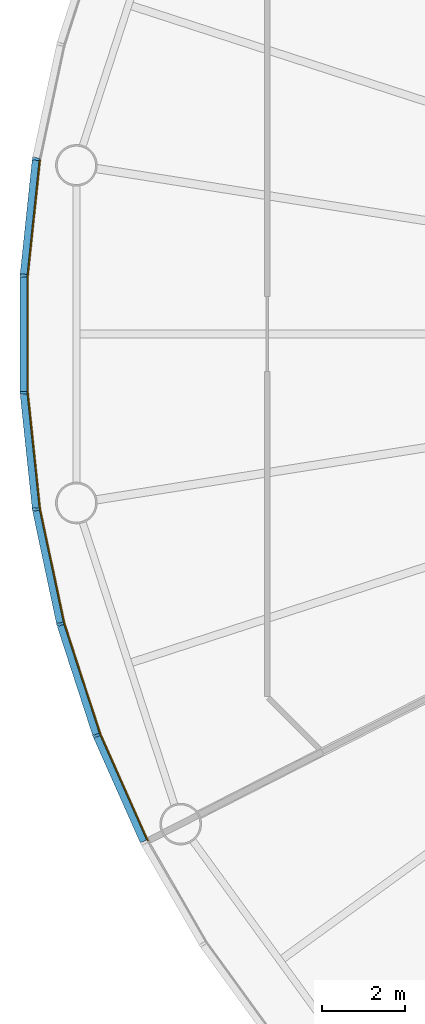
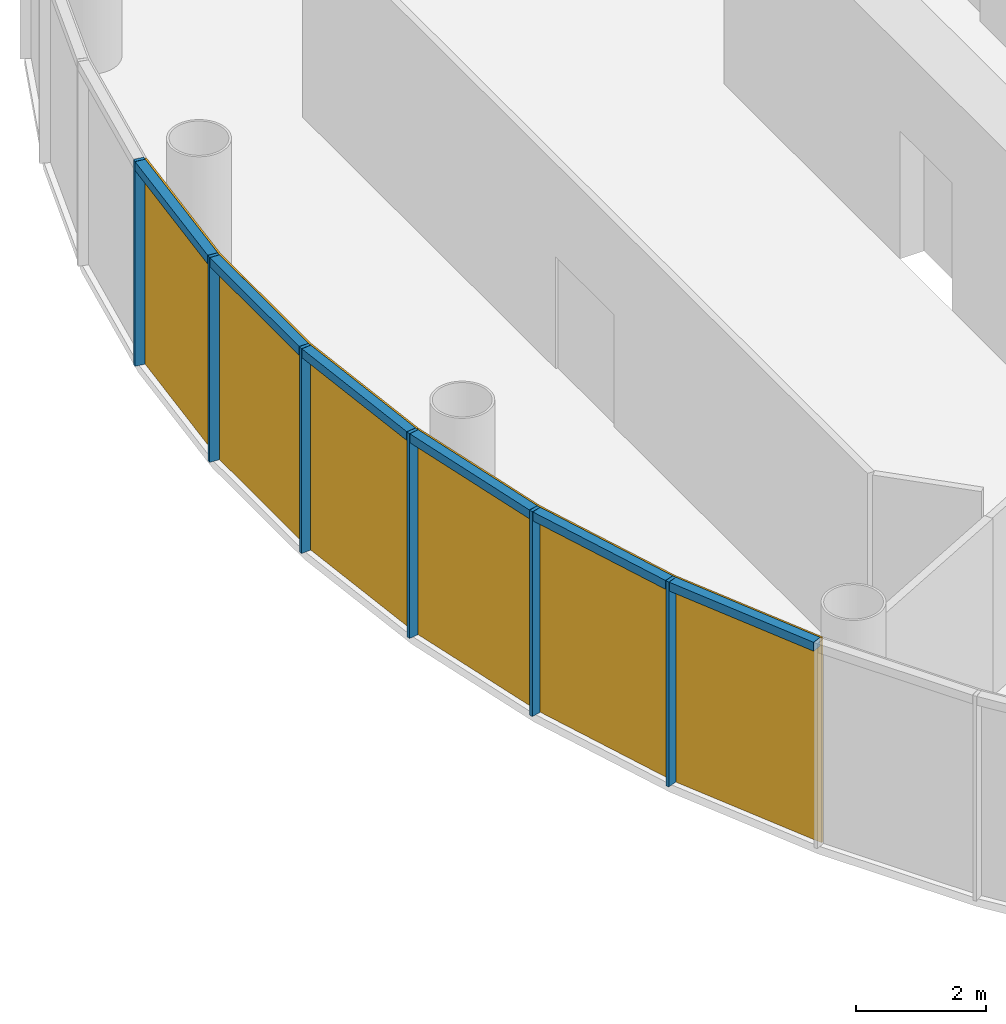
# One storey, part 7 of 12: 12 members, 2 curtain walls.
"""IFC4 building model written with IfcOpenShell, lengths in metres."""

from ifc_helpers import new_model, si_unit, direction, frame, origin, origin_2d, place, context, subcontext, project, spatial, polyline, rectangle, outline, extrude, material, layer, layer_set, material_profile, profile_set, type_object, element, aggregate, save


model = new_model("IFC4")

# Units and contexts
model_context = context("Model", 3, precision=1e-05, world=origin(), true_north=direction((0.0, 1.0)))
body_context = subcontext(model_context, "Body", "Model", "MODEL_VIEW")
ifc_project = project(units=[si_unit("LENGTHUNIT", "METRE"), si_unit("AREAUNIT", "SQUARE_METRE"), si_unit("VOLUMEUNIT", "CUBIC_METRE"), si_unit("PLANEANGLEUNIT", "RADIAN"), si_unit("MASSUNIT", "GRAM", prefix="KILO")], contexts=[model_context])

# Member
ifc_material_1 = material(Name="Anodised aluminium", Category="aluminium")
ifc_material_profile_1 = material_profile(ifc_material_1, rectangle(XDim=0.06005859375, YDim=0.169921875, at=origin_2d()), Name="Mullion 60 x 170 mm anodised aluminium")
ifc_profile_set_1 = profile_set([ifc_material_profile_1], Name="Anodised aluminium")
member_type_1 = type_object("IfcMemberType", Name="Mullion 60 x 170 mm anodised aluminium", PredefinedType="MULLION", material=ifc_profile_set_1)
site_placement = place(None, origin())
building_placement = place(site_placement, origin())
storey_placement = place(building_placement, frame((0.0, 0.0, 254.0)))
member_1_placement = place(storey_placement, frame((63.446044921875, 84.205810546875, 0.0), z_axis=(0.0, 0.0, 1.0), x_axis=(-0.15643446504, -0.987688340595, 0.0)))
member_1 = element("IfcMember", 1, at=member_1_placement, type_object=member_type_1, Name="MULLION L58-27", PredefinedType="MULLION", context=body_context, shape_type="SweptSolid", body=[
    extrude(rectangle(XDim=0.06005859375, YDim=0.169921875, at=origin_2d()), origin(), (0.0, 0.0, 1.0), 3.85009765625),
])

member_2_placement = place(storey_placement, frame((63.15185546875, 81.406982421875, 0.0), z_axis=(0.0, 0.0, 1.0), x_axis=(-0.052335956243, -0.998629534755, 0.0)))
member_2 = element("IfcMember", 2, at=member_2_placement, type_object=member_type_1, Name="MULLION L58-28", PredefinedType="MULLION", context=body_context, shape_type="SweptSolid", body=[
    extrude(rectangle(XDim=0.06005859375, YDim=0.169921875, at=origin_2d()), origin(), (0.0, 0.0, 1.0), 3.85009765625),
])

member_3_placement = place(storey_placement, frame((63.15185546875, 78.593017578125, 0.0), z_axis=(0.0, 0.0, 1.0), x_axis=(0.052335956243, -0.998629534755, 0.0)))
member_3 = element("IfcMember", 3, at=member_3_placement, type_object=member_type_1, Name="MULLION L58-29", PredefinedType="MULLION", context=body_context, shape_type="SweptSolid", body=[
    extrude(rectangle(XDim=0.06005859375, YDim=0.169921875, at=origin_2d()), origin(), (0.0, 0.0, 1.0), 3.85009765625),
])

member_4_placement = place(storey_placement, frame((63.446044921875, 75.794189453125, 0.0), z_axis=(0.0, 0.0, 1.0), x_axis=(0.15643446504, -0.987688340595, 0.0)))
member_4 = element("IfcMember", 4, at=member_4_placement, type_object=member_type_1, Name="MULLION L58-30", PredefinedType="MULLION", context=body_context, shape_type="SweptSolid", body=[
    extrude(rectangle(XDim=0.06005859375, YDim=0.169921875, at=origin_2d()), origin(), (0.0, 0.0, 1.0), 3.85009765625),
])

member_5_placement = place(storey_placement, frame((64.031005859375, 73.041748046875, 0.0), z_axis=(0.0, 0.0, 1.0), x_axis=(0.258819045103, -0.965925826289, 0.0)))
member_5 = element("IfcMember", 5, at=member_5_placement, type_object=member_type_1, Name="MULLION L58-31", PredefinedType="MULLION", context=body_context, shape_type="SweptSolid", body=[
    extrude(rectangle(XDim=0.06005859375, YDim=0.169921875, at=origin_2d()), origin(), (0.0, 0.0, 1.0), 3.85009765625),
])

member_6_placement = place(storey_placement, frame((64.900634765625, 70.365234375, 0.0), z_axis=(0.0, 0.0, 1.0), x_axis=(0.358367949545, -0.933580426497, 0.0)))
member_6 = element("IfcMember", 6, at=member_6_placement, type_object=member_type_1, Name="MULLION L58-32", PredefinedType="MULLION", context=body_context, shape_type="SweptSolid", body=[
    extrude(rectangle(XDim=0.06005859375, YDim=0.169921875, at=origin_2d()), origin(), (0.0, 0.0, 1.0), 3.85009765625),
])

ifc_material_2 = material(Name="Anodised aluminium", Category="aluminium")
ifc_material_profile_2 = material_profile(ifc_material_2, rectangle(XDim=0.169921875, YDim=0.1650390625, at=origin_2d()), Name="Transom 165 x 170 mm anodised aluminium")
ifc_profile_set_2 = profile_set([ifc_material_profile_2], Name="Anodised aluminium")
member_type_2 = type_object("IfcMemberType", Name="Transom 165 x 170 mm anodised aluminium", PredefinedType="USERDEFINED", material=ifc_profile_set_2)
member_7_placement = place(storey_placement, frame((63.4423828125, 84.17138671875, 3.767578125), z_axis=(-0.104592190102, -0.994515195344, 0.0), x_axis=(0.994515195344, -0.104592190102, 0.0)))
member_7 = element("IfcMember", 7, at=member_7_placement, type_object=member_type_2, Name="TRANSOM L58-27", ObjectType="TRANSOM", PredefinedType="USERDEFINED", context=body_context, shape_type="SweptSolid", body=[
    extrude(rectangle(XDim=0.169921875, YDim=0.1650390625, at=origin_2d()), origin(), (0.0, 0.0, 1.0), 2.7451171875),
])

member_8_placement = place(storey_placement, frame((63.151611328125, 81.37255859375, 3.767578125), z_axis=(0.0, -1.0, 0.0), x_axis=(1.0, 0.0, 0.0)))
member_8 = element("IfcMember", 8, at=member_8_placement, type_object=member_type_2, Name="TRANSOM L58-28", ObjectType="TRANSOM", PredefinedType="USERDEFINED", context=body_context, shape_type="SweptSolid", body=[
    extrude(rectangle(XDim=0.169921875, YDim=0.1650390625, at=origin_2d()), origin(), (0.0, 0.0, 1.0), 2.7451171875),
])

member_9_placement = place(storey_placement, frame((63.1552734375, 78.55859375, 3.767578125), z_axis=(0.104592190102, -0.994515195344, 0.0), x_axis=(0.994515195344, 0.104592190102, 0.0)))
member_9 = element("IfcMember", 9, at=member_9_placement, type_object=member_type_2, Name="TRANSOM L58-29", ObjectType="TRANSOM", PredefinedType="USERDEFINED", context=body_context, shape_type="SweptSolid", body=[
    extrude(rectangle(XDim=0.169921875, YDim=0.1650390625, at=origin_2d()), origin(), (0.0, 0.0, 1.0), 2.7451171875),
])

member_10_placement = place(storey_placement, frame((63.453125, 75.760498046875, 3.767578125), z_axis=(0.207937468562, -0.97814212115, 0.0), x_axis=(0.97814212115, 0.207937468562, 0.0)))
member_10 = element("IfcMember", 10, at=member_10_placement, type_object=member_type_2, Name="TRANSOM L58-30", ObjectType="TRANSOM", PredefinedType="USERDEFINED", context=body_context, shape_type="SweptSolid", body=[
    extrude(rectangle(XDim=0.169921875, YDim=0.1650390625, at=origin_2d()), origin(), (0.0, 0.0, 1.0), 2.7451171875),
])

member_11_placement = place(storey_placement, frame((64.04150390625, 73.0087890625, 3.767578125), z_axis=(0.309041831781, -0.951048445774, 0.0), x_axis=(0.951048445774, 0.309041831781, 0.0)))
member_11 = element("IfcMember", 11, at=member_11_placement, type_object=member_type_2, Name="TRANSOM L58-31", ObjectType="TRANSOM", PredefinedType="USERDEFINED", context=body_context, shape_type="SweptSolid", body=[
    extrude(rectangle(XDim=0.169921875, YDim=0.1650390625, at=origin_2d()), origin(), (0.0, 0.0, 1.0), 2.7451171875),
])

member_12_placement = place(storey_placement, frame((64.91455078125, 70.333740234375, 3.767578125), z_axis=(0.406781987391, -0.913525267704, 0.0), x_axis=(0.913525267704, 0.406781987391, 0.0)))
member_12 = element("IfcMember", 12, at=member_12_placement, type_object=member_type_2, Name="TRANSOM L58-32", ObjectType="TRANSOM", PredefinedType="USERDEFINED", context=body_context, shape_type="SweptSolid", body=[
    extrude(rectangle(XDim=0.169921875, YDim=0.1650390625, at=origin_2d()), origin(), (0.0, 0.0, 1.0), 2.7451171875),
])

# Site, building, storey
site = spatial("IfcSite", under=ifc_project, at=site_placement, CompositionType="ELEMENT")
building = spatial("IfcBuilding", under=site, at=building_placement, Name="Entoto Ring Tower", CompositionType="ELEMENT")
storey = spatial("IfcBuildingStorey", under=building, at=storey_placement, Name="L58", CompositionType="ELEMENT", Elevation=254.0)

# Curtain wall
ifc_material_3 = material(Name="Clear low-iron glass", Category="glass")
ifc_layer = layer(ifc_material_3, 0.031982421875)
ifc_layer_set = layer_set([ifc_layer], Name="Clear low-iron glass")
curtain_wall_type = type_object("IfcCurtainWallType", Name="Curtain wall system CW4 glazing 32 mm", PredefinedType="NOTDEFINED", material=ifc_layer_set)
curtain_wall_1_placement = place(storey_placement, origin())
curtain_wall_1 = element("IfcCurtainWall", 13, at=curtain_wall_1_placement, inside=storey, type_object=curtain_wall_type, Name="CW4 L58-10", PredefinedType="NOTDEFINED", context=body_context, shape_type="SweptSolid", body=[
    extrude(outline(polyline([(63.530029296875, 84.1923828125), (63.23681640625, 81.402587890625), (63.23681640625, 78.597412109375), (63.530029296875, 75.8076171875), (63.5615234375, 75.8125), (63.268798828125, 78.59912109375), (63.268798828125, 81.40087890625), (63.5615234375, 84.1875), (63.530029296875, 84.1923828125)])), origin(), (0.0, 0.0, 1.0), 3.85009765625),
])

aggregate(curtain_wall_1, [member_1, member_2, member_3, member_7, member_8, member_9])

curtain_wall_2_placement = place(storey_placement, origin())
curtain_wall_2 = element("IfcCurtainWall", 14, at=curtain_wall_2_placement, inside=storey, type_object=curtain_wall_type, Name="CW4 L58-11", PredefinedType="NOTDEFINED", context=body_context, shape_type="SweptSolid", body=[
    extrude(outline(polyline([(63.530029296875, 75.8076171875), (64.11328125, 73.063720703125), (64.97998046875, 70.395751953125), (66.12109375, 67.8330078125), (66.149658203125, 67.84765625), (65.010009765625, 70.4072265625), (64.14404296875, 73.072021484375), (63.5615234375, 75.8125), (63.530029296875, 75.8076171875)])), origin(), (0.0, 0.0, 1.0), 3.85009765625),
])

aggregate(curtain_wall_2, [member_4, member_5, member_6, member_10, member_11, member_12])

save(model, "model.ifc")
